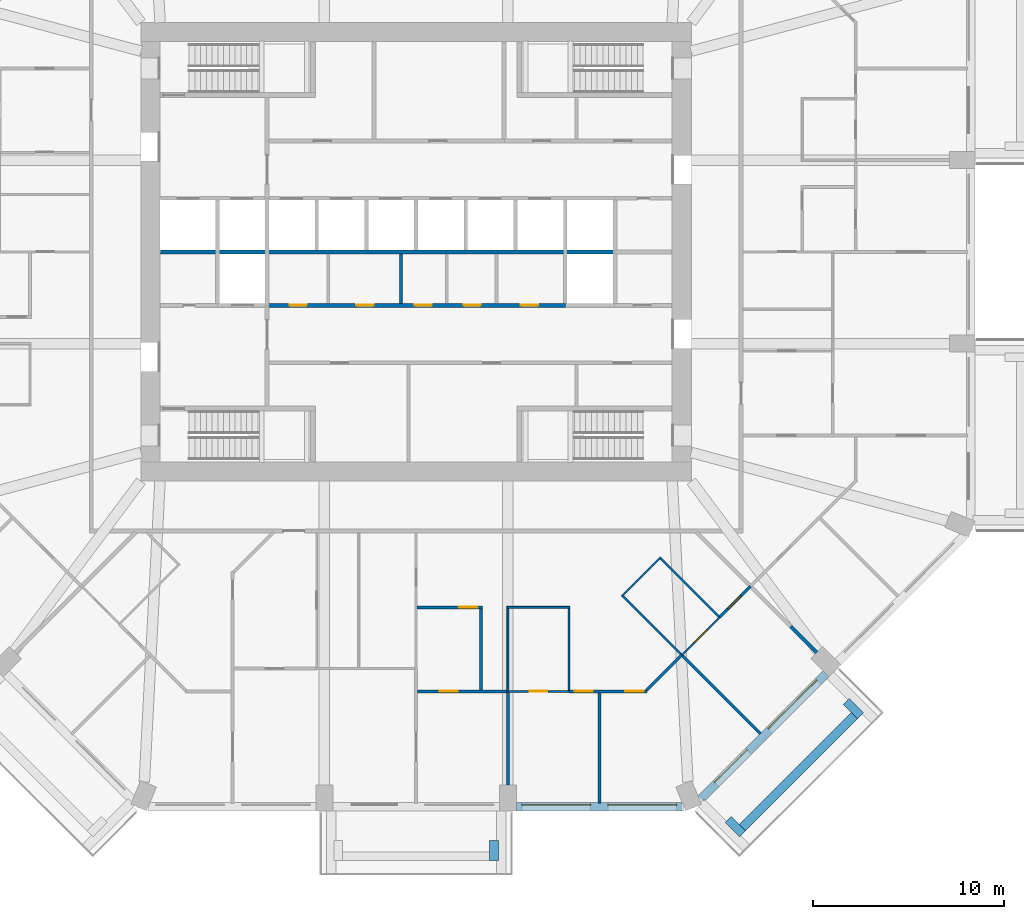
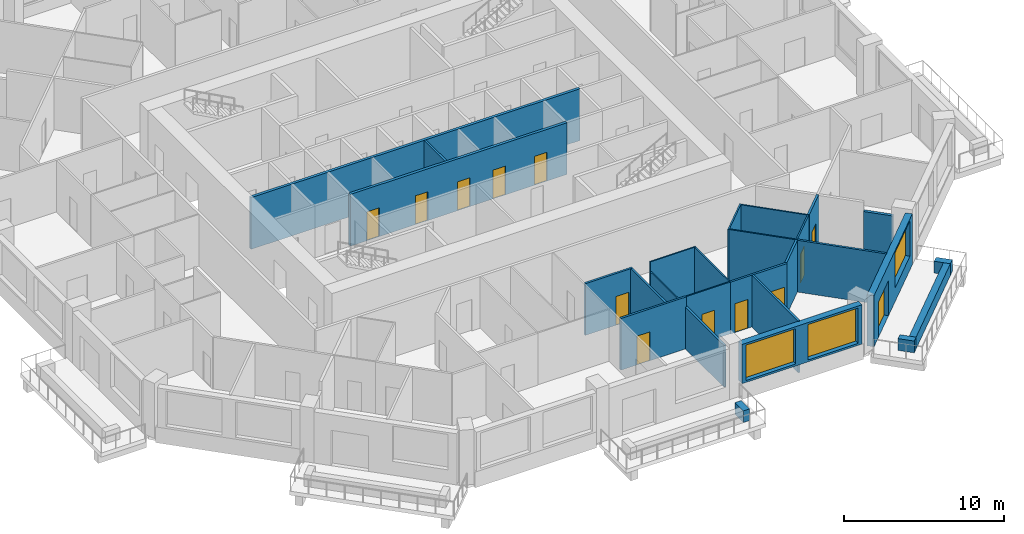
# One storey, part 5 of 13: 27 walls, 13 doors, 3 windows, 16 openings.
"""IFC4 building model written with IfcOpenShell, lengths in metres."""

from ifc_helpers import new_model, si_unit, direction, frame, frame_2d, origin, place, context, subcontext, project, spatial, rectangle, extrude, material, layer, layer_set, type_object, element, fill, save


model = new_model("IFC4")

# Units and contexts
model_context = context("Model", 3, precision=1e-05, world=origin(), true_north=direction((0.0, 1.0)))
body_context = subcontext(model_context, "Body", "Model", "MODEL_VIEW")
ifc_project = project(units=[si_unit("LENGTHUNIT", "METRE"), si_unit("AREAUNIT", "SQUARE_METRE"), si_unit("VOLUMEUNIT", "CUBIC_METRE"), si_unit("PLANEANGLEUNIT", "RADIAN"), si_unit("MASSUNIT", "GRAM", prefix="KILO")], contexts=[model_context])

# Site, building, storey
site_placement = place(None, origin())
site = spatial("IfcSite", under=ifc_project, at=site_placement, CompositionType="ELEMENT")
building_placement = place(site_placement, origin())
building = spatial("IfcBuilding", under=site, at=building_placement, Name="Msitu Wima Residences", CompositionType="ELEMENT")
storey_placement = place(building_placement, frame((0.0, 0.0, 25.5)))
storey = spatial("IfcBuildingStorey", under=building, at=storey_placement, Name="L05", CompositionType="ELEMENT", Elevation=25.5)

# Walls
ifc_material_1 = material(Name="Facing brick")
ifc_layer_1 = layer(ifc_material_1, 0.06494140625, Name="Facing brick")
ifc_material_2 = material(Name="Concrete C40/50", Category="concrete")
ifc_layer_2 = layer(ifc_material_2, 0.156005859375, Name="Concrete C40/50")
ifc_material_3 = material(Name="Waterproofing membrane")
ifc_layer_3 = layer(ifc_material_3, 0.00390625, Name="Waterproofing membrane")
ifc_material_4 = material(Name="Planting soil and planting")
ifc_layer_4 = layer(ifc_material_4, 0.22509765625, Name="Planting soil and planting")
ifc_layer_set_1 = layer_set([ifc_layer_1, ifc_layer_2, ifc_layer_3, ifc_layer_4], Name="Concrete C40/50")
wall_type_1 = type_object("IfcWallType", Name="Balcony planter PLANTER PL450", PredefinedType="USERDEFINED", material=ifc_layer_set_1)
wall_1_placement = place(storey_placement, frame((4.074951171875, -30.800048828125, 0.0), z_axis=(0.0, 0.0, 1.0), x_axis=(0.0, -1.0, 0.0)))
element("IfcWall", 1, at=wall_1_placement, inside=storey, type_object=wall_type_1, Name="Balcony planter S1 L05", ObjectType="PLANTER", PredefinedType="USERDEFINED", context=body_context, shape_type="SweptSolid", body=[
    extrude(rectangle(XDim=1.050048828125, YDim=0.449951171875, at=frame_2d((0.52490234375, 0.0))), origin(), (0.0, 0.0, 1.0), 0.89990234375),
])
wall_2_placement = place(storey_placement, frame((17.0693359375, -30.125732421875, 0.0), z_axis=(0.0, 0.0, 1.0), x_axis=(0.707106781187, 0.707106781187, 0.0)))
element("IfcWall", 2, at=wall_2_placement, inside=storey, type_object=wall_type_1, Name="Balcony planter SE0 L05", ObjectType="PLANTER", PredefinedType="USERDEFINED", context=body_context, shape_type="SweptSolid", body=[
    extrude(rectangle(XDim=8.2822265625, YDim=0.449951171875, at=frame_2d((4.14111328125, 0.0))), origin(), (0.0, 0.0, 1.0), 0.89990234375),
])
for number, where, z_axis, x_axis, name in (
    (3, (16.326904296875, -29.70166015625, 0.0), (0.0, 0.0, 1.0), (0.707106781187, -0.707106781187, 0.0), "Balcony planter SE0 L05"),
    (4, (22.50146484375, -23.52685546875, 0.0), (0.0, 0.0, 1.0), (0.707223014731, -0.706990528533, 0.0), "Balcony planter SE0 L05"),
):
    element("IfcWall", number, at=place(storey_placement, frame(where, z_axis=z_axis, x_axis=x_axis)), inside=storey, type_object=wall_type_1, Name=name, ObjectType="PLANTER", PredefinedType="USERDEFINED", context=body_context, shape_type="SweptSolid", body=[
        extrude(rectangle(XDim=1.050048828125, YDim=0.449951171875, at=frame_2d((0.52490234375, 0.0))), origin(), (0.0, 0.0, 1.0), 0.89990234375),
    ])

# Wall, openings, windows
ifc_material_5 = material(Name="Brick (red buff mix)", Category="masonry")
ifc_layer_5 = layer(ifc_material_5, 0.449951171875)
ifc_layer_set_2 = layer_set([ifc_layer_5], Name="Brick (red buff mix)")
wall_type_2 = type_object("IfcWallType", Name="Brick infill wall BW450", PredefinedType="SOLIDWALL", material=ifc_layer_set_2)
wall_3_placement = place(storey_placement, frame((5.25, -29.02490234375, 0.89990234375), z_axis=(0.0, 0.0, 1.0), x_axis=(1.0, 0.0, 0.0)))
wall_3 = element("IfcWall", 5, at=wall_3_placement, inside=storey, type_object=wall_type_2, Name="Brick infill wall L05 S2", PredefinedType="SOLIDWALL", context=body_context, shape_type="SweptSolid", body=[
    extrude(rectangle(XDim=8.662841796875, YDim=0.449951171875, at=frame_2d((4.33154296875, 0.0))), origin(), (0.0, 0.0, 1.0), 3.0),
])
opening_1_placement = place(wall_3_placement, frame((0.281494140625, 0.0, 0.14990234375)))
opening_1 = element("IfcOpeningElement", 6, at=opening_1_placement, cuts=wall_3, Name="Opening W05-07.019", PredefinedType="OPENING", context=body_context, shape_type="SweptSolid", body=[
    extrude(rectangle(XDim=3.60009765625, YDim=2.699951171875, at=frame_2d((1.800048828125, 1.35009765625))), frame((0.0, 0.23486328125, 0.0), z_axis=(0.0, -1.0, 0.0), x_axis=(1.0, 0.0, 0.0)), (0.0, 0.0, 1.0), 0.469970703125),
])
opening_2_placement = place(wall_3_placement, frame((4.781494140625, 0.0, 0.14990234375)))
opening_2 = element("IfcOpeningElement", 7, at=opening_2_placement, cuts=wall_3, Name="Opening W05-07.020", PredefinedType="OPENING", context=body_context, shape_type="SweptSolid", body=[
    extrude(rectangle(XDim=3.60009765625, YDim=2.699951171875, at=frame_2d((1.800048828125, 1.35009765625))), frame((0.0, 0.23486328125, 0.0), z_axis=(0.0, -1.0, 0.0), x_axis=(1.0, 0.0, 0.0)), (0.0, 0.0, 1.0), 0.469970703125),
])
ifc_material_6 = material(Name="Anodised aluminium, bronze finish, clear low-emissivity double glazing", Category="aluminium")
window_type = type_object("IfcWindowType", Name="Window W3600x2700", PartitioningType="DOUBLE_PANEL_VERTICAL", PredefinedType="WINDOW", material=ifc_material_6)
window_1_placement = place(opening_1_placement, origin())
window_1 = element("IfcWindow", 8, at=window_1_placement, inside=storey, type_object=window_type, Name="Window L05 S2.1", OverallHeight=2.699951171875, OverallWidth=3.60009765625, PartitioningType="SINGLE_PANEL", PredefinedType="WINDOW", context=body_context, shape_type="SweptSolid", body=[
    extrude(rectangle(XDim=3.60009765625, YDim=2.699951171875, at=frame_2d((1.800048828125, 1.35009765625))), frame((0.0, 0.135009765625, 0.0), z_axis=(0.0, -1.0, 0.0), x_axis=(1.0, 0.0, 0.0)), (0.0, 0.0, 1.0), 0.06005859375),
])
fill(opening_1, window_1)
window_2_placement = place(opening_2_placement, origin())
window_2 = element("IfcWindow", 9, at=window_2_placement, inside=storey, type_object=window_type, Name="Window L05 S2.2", OverallHeight=2.699951171875, OverallWidth=3.60009765625, PartitioningType="SINGLE_PANEL", PredefinedType="WINDOW", context=body_context, shape_type="SweptSolid", body=[
    extrude(rectangle(XDim=3.60009765625, YDim=2.699951171875, at=frame_2d((1.800048828125, 1.35009765625))), frame((0.0, 0.135009765625, 0.0), z_axis=(0.0, -1.0, 0.0), x_axis=(1.0, 0.0, 0.0)), (0.0, 0.0, 1.0), 0.06005859375),
])
fill(opening_2, window_2)

# Wall, openings, door, window
wall_4_placement = place(storey_placement, frame((14.903564453125, -28.61474609375, 0.0), z_axis=(0.0, 0.0, 1.0), x_axis=(0.707106781187, 0.707106781187, 0.0)))
wall_4 = element("IfcWall", 10, at=wall_4_placement, inside=storey, type_object=wall_type_2, Name="Brick infill wall L05 SE0", PredefinedType="SOLIDWALL", context=body_context, shape_type="SweptSolid", body=[
    extrude(rectangle(XDim=9.2451171875, YDim=0.449951171875, at=frame_2d((4.62255859375, 0.0))), origin(), (0.0, 0.0, 1.0), 3.89990234375),
])
opening_3_placement = place(wall_4_placement, frame((1.111328125, 0.0, 0.0)))
opening_3 = element("IfcOpeningElement", 11, at=opening_3_placement, cuts=wall_4, Name="Opening D05-07.007", PredefinedType="OPENING", context=body_context, shape_type="SweptSolid", body=[
    extrude(rectangle(XDim=2.39990234375, YDim=2.699951171875, at=frame_2d((1.199951171875, 1.35009765625))), frame((0.0, 0.23486328125, 0.0), z_axis=(0.0, -1.0, 0.0), x_axis=(1.0, 0.0, 0.0)), (0.0, 0.0, 1.0), 0.469970703125),
])
opening_4_placement = place(wall_4_placement, frame((5.072509765625, 0.0, 1.050048828125)))
opening_4 = element("IfcOpeningElement", 12, at=opening_4_placement, cuts=wall_4, Name="Opening W05-07.021", PredefinedType="OPENING", context=body_context, shape_type="SweptSolid", body=[
    extrude(rectangle(XDim=3.60009765625, YDim=2.699951171875, at=frame_2d((1.800048828125, 1.35009765625))), frame((0.0, 0.23486328125, 0.0), z_axis=(0.0, -1.0, 0.0), x_axis=(1.0, 0.0, 0.0)), (0.0, 0.0, 1.0), 0.469970703125),
])
door_type_1 = type_object("IfcDoorType", Name="Balcony door D2400x2700", OperationType="SLIDING_TO_LEFT", PredefinedType="DOOR", material=ifc_material_6)
door_1_placement = place(opening_3_placement, origin())
door_1 = element("IfcDoor", 13, at=door_1_placement, inside=storey, type_object=door_type_1, Name="Balcony door L05 SE0", OperationType="SINGLE_SWING_LEFT", OverallHeight=2.699951171875, OverallWidth=2.39990234375, PredefinedType="DOOR", context=body_context, shape_type="SweptSolid", body=[
    extrude(rectangle(XDim=2.39990234375, YDim=2.699951171875, at=frame_2d((1.199951171875, 1.35009765625))), frame((0.0, 0.1298828125, 0.0), z_axis=(0.0, -1.0, 0.0), x_axis=(1.0, 0.0, 0.0)), (0.0, 0.0, 1.0), 0.050048828125),
])
fill(opening_3, door_1)
window_3_placement = place(opening_4_placement, origin())
window_3 = element("IfcWindow", 14, at=window_3_placement, inside=storey, type_object=window_type, Name="Window L05 SE0.2", OverallHeight=2.699951171875, OverallWidth=3.60009765625, PartitioningType="SINGLE_PANEL", PredefinedType="WINDOW", context=body_context, shape_type="SweptSolid", body=[
    extrude(rectangle(XDim=3.60009765625, YDim=2.699951171875, at=frame_2d((1.800048828125, 1.35009765625))), frame((0.0, 0.135009765625, 0.0), z_axis=(0.0, -1.0, 0.0), x_axis=(1.0, 0.0, 0.0)), (0.0, 0.0, 1.0), 0.06005859375),
])
fill(opening_4, window_3)

# Wall, openings, doors
ifc_material_7 = material(Name="Plaster")
ifc_layer_6 = layer(ifc_material_7, 0.011962890625, Name="Plaster")
ifc_material_8 = material(Name="Concrete blockwork", Category="masonry")
ifc_layer_7 = layer(ifc_material_8, 0.176025390625, Name="Concrete blockwork")
ifc_layer_8 = layer(ifc_material_7, 0.011962890625, Name="Plaster")
ifc_layer_set_3 = layer_set([ifc_layer_6, ifc_layer_7, ifc_layer_8], Name="Concrete blockwork")
wall_type_3 = type_object("IfcWallType", Name="Corridor wall FW200", PredefinedType="PARTITIONING", material=ifc_layer_set_3)
wall_5_placement = place(storey_placement, frame((-7.820068359375, -2.800048828125, 0.0), z_axis=(0.0, 0.0, 1.0), x_axis=(1.0, 0.0, 0.0)))
wall_5 = element("IfcWall", 15, at=wall_5_placement, inside=storey, type_object=wall_type_3, Name="Corridor wall", PredefinedType="PARTITIONING", context=body_context, shape_type="SweptSolid", body=[
    extrude(rectangle(XDim=15.64013671875, YDim=0.199951171875, at=frame_2d((7.820068359375, 0.0))), origin(), (0.0, 0.0, 1.0), 3.949951171875),
])
opening_5_placement = place(wall_5_placement, frame((1.199951171875, 0.0, 0.0)))
opening_5 = element("IfcOpeningElement", 16, at=opening_5_placement, cuts=wall_5, Name="Opening D05-07.031", PredefinedType="OPENING", context=body_context, shape_type="SweptSolid", body=[
    extrude(rectangle(XDim=0.89990234375, YDim=2.199951171875, at=frame_2d((0.449951171875, 1.10009765625))), frame((0.0, 0.10986328125, 0.0), z_axis=(0.0, -1.0, 0.0), x_axis=(1.0, 0.0, 0.0)), (0.0, 0.0, 1.0), 0.219970703125),
])
opening_6_placement = place(wall_5_placement, frame((4.699951171875, 0.0, 0.0)))
opening_6 = element("IfcOpeningElement", 17, at=opening_6_placement, cuts=wall_5, Name="Opening D05-07.032", PredefinedType="OPENING", context=body_context, shape_type="SweptSolid", body=[
    extrude(rectangle(XDim=0.89990234375, YDim=2.199951171875, at=frame_2d((0.449951171875, 1.10009765625))), frame((0.0, 0.10986328125, 0.0), z_axis=(0.0, -1.0, 0.0), x_axis=(1.0, 0.0, 0.0)), (0.0, 0.0, 1.0), 0.219970703125),
])
opening_7_placement = place(wall_5_placement, frame((7.75, 0.0, 0.0)))
opening_7 = element("IfcOpeningElement", 18, at=opening_7_placement, cuts=wall_5, Name="Opening D05-07.033", PredefinedType="OPENING", context=body_context, shape_type="SweptSolid", body=[
    extrude(rectangle(XDim=0.89990234375, YDim=2.199951171875, at=frame_2d((0.449951171875, 1.10009765625))), frame((0.0, 0.10986328125, 0.0), z_axis=(0.0, -1.0, 0.0), x_axis=(1.0, 0.0, 0.0)), (0.0, 0.0, 1.0), 0.219970703125),
])
opening_8_placement = place(wall_5_placement, frame((10.300048828125, 0.0, 0.0)))
opening_8 = element("IfcOpeningElement", 19, at=opening_8_placement, cuts=wall_5, Name="Opening D05-07.034", PredefinedType="OPENING", context=body_context, shape_type="SweptSolid", body=[
    extrude(rectangle(XDim=0.89990234375, YDim=2.199951171875, at=frame_2d((0.449951171875, 1.10009765625))), frame((0.0, 0.10986328125, 0.0), z_axis=(0.0, -1.0, 0.0), x_axis=(1.0, 0.0, 0.0)), (0.0, 0.0, 1.0), 0.219970703125),
])
opening_9_placement = place(wall_5_placement, frame((13.300048828125, 0.0, 0.0)))
opening_9 = element("IfcOpeningElement", 20, at=opening_9_placement, cuts=wall_5, Name="Opening D05-07.035", PredefinedType="OPENING", context=body_context, shape_type="SweptSolid", body=[
    extrude(rectangle(XDim=0.89990234375, YDim=2.199951171875, at=frame_2d((0.449951171875, 1.10009765625))), frame((0.0, 0.10986328125, 0.0), z_axis=(0.0, -1.0, 0.0), x_axis=(1.0, 0.0, 0.0)), (0.0, 0.0, 1.0), 0.219970703125),
])
ifc_material_9 = material(Name="Timber flush door", Category="wood")
door_type_2 = type_object("IfcDoorType", Name="Service door D05 900x2200", OperationType="SINGLE_SWING_LEFT", PredefinedType="DOOR", material=ifc_material_9)
door_2_placement = place(opening_5_placement, origin())
door_2 = element("IfcDoor", 21, at=door_2_placement, inside=storey, type_object=door_type_2, Name="Service door", OperationType="SINGLE_SWING_RIGHT", OverallHeight=2.199951171875, OverallWidth=0.89990234375, PredefinedType="DOOR", context=body_context, shape_type="SweptSolid", body=[
    extrude(rectangle(XDim=0.89990234375, YDim=2.199951171875, at=frame_2d((0.449951171875, 1.10009765625))), frame((0.0, 0.02490234375, 0.0), z_axis=(0.0, -1.0, 0.0), x_axis=(1.0, 0.0, 0.0)), (0.0, 0.0, 1.0), 0.050048828125),
])
fill(opening_5, door_2)
door_3_placement = place(opening_6_placement, origin())
door_3 = element("IfcDoor", 22, at=door_3_placement, inside=storey, type_object=door_type_2, Name="Service door", OperationType="SINGLE_SWING_RIGHT", OverallHeight=2.199951171875, OverallWidth=0.89990234375, PredefinedType="DOOR", context=body_context, shape_type="SweptSolid", body=[
    extrude(rectangle(XDim=0.89990234375, YDim=2.199951171875, at=frame_2d((0.449951171875, 1.10009765625))), frame((0.0, 0.02490234375, 0.0), z_axis=(0.0, -1.0, 0.0), x_axis=(1.0, 0.0, 0.0)), (0.0, 0.0, 1.0), 0.050048828125),
])
fill(opening_6, door_3)
door_4_placement = place(opening_7_placement, origin())
door_4 = element("IfcDoor", 23, at=door_4_placement, inside=storey, type_object=door_type_2, Name="Service door", OperationType="SINGLE_SWING_LEFT", OverallHeight=2.199951171875, OverallWidth=0.89990234375, PredefinedType="DOOR", context=body_context, shape_type="SweptSolid", body=[
    extrude(rectangle(XDim=0.89990234375, YDim=2.199951171875, at=frame_2d((0.449951171875, 1.10009765625))), frame((0.0, 0.02490234375, 0.0), z_axis=(0.0, -1.0, 0.0), x_axis=(1.0, 0.0, 0.0)), (0.0, 0.0, 1.0), 0.050048828125),
])
fill(opening_7, door_4)
door_5_placement = place(opening_8_placement, origin())
door_5 = element("IfcDoor", 24, at=door_5_placement, inside=storey, type_object=door_type_2, Name="Service door", OperationType="SINGLE_SWING_RIGHT", OverallHeight=2.199951171875, OverallWidth=0.89990234375, PredefinedType="DOOR", context=body_context, shape_type="SweptSolid", body=[
    extrude(rectangle(XDim=0.89990234375, YDim=2.199951171875, at=frame_2d((0.449951171875, 1.10009765625))), frame((0.0, 0.02490234375, 0.0), z_axis=(0.0, -1.0, 0.0), x_axis=(1.0, 0.0, 0.0)), (0.0, 0.0, 1.0), 0.050048828125),
])
fill(opening_8, door_5)
door_6_placement = place(opening_9_placement, origin())
door_6 = element("IfcDoor", 25, at=door_6_placement, inside=storey, type_object=door_type_2, Name="Service door", OperationType="SINGLE_SWING_LEFT", OverallHeight=2.199951171875, OverallWidth=0.89990234375, PredefinedType="DOOR", context=body_context, shape_type="SweptSolid", body=[
    extrude(rectangle(XDim=0.89990234375, YDim=2.199951171875, at=frame_2d((0.449951171875, 1.10009765625))), frame((0.0, 0.02490234375, 0.0), z_axis=(0.0, -1.0, 0.0), x_axis=(1.0, 0.0, 0.0)), (0.0, 0.0, 1.0), 0.050048828125),
])
fill(opening_9, door_6)

# Wall
ifc_layer_9 = layer(ifc_material_7, 0.011962890625, Name="Plaster")
ifc_layer_10 = layer(ifc_material_8, 0.1259765625, Name="Concrete blockwork")
ifc_layer_11 = layer(ifc_material_7, 0.011962890625, Name="Plaster")
ifc_layer_set_4 = layer_set([ifc_layer_9, ifc_layer_10, ifc_layer_11], Name="Concrete blockwork")
wall_type_4 = type_object("IfcWallType", Name="Partition PW150", PredefinedType="PARTITIONING", material=ifc_layer_set_4)
wall_6_placement = place(storey_placement, frame((-0.800048828125, -2.699951171875, 0.0), z_axis=(0.0, 0.0, 1.0), x_axis=(0.0, 1.0, 0.0)))
element("IfcWall", 26, at=wall_6_placement, inside=storey, type_object=wall_type_4, Name="Partition", PredefinedType="PARTITIONING", context=body_context, shape_type="SweptSolid", body=[
    extrude(rectangle(XDim=2.599853515625, YDim=0.14990234375, at=frame_2d((1.2998046875, 0.0))), origin(), (0.0, 0.0, 1.0), 3.949951171875),
])

# Wall, opening, door
wall_7_placement = place(storey_placement, frame((0.074951171875, -23.0, 0.0), z_axis=(0.0, 0.0, 1.0), x_axis=(1.0, 0.0, 0.0)))
wall_7 = element("IfcWall", 27, at=wall_7_placement, inside=storey, type_object=wall_type_4, Name="Partition", PredefinedType="PARTITIONING", context=body_context, shape_type="SweptSolid", body=[
    extrude(rectangle(XDim=4.72509765625, YDim=0.14990234375, at=frame_2d((2.362548828125, 0.0))), origin(), (0.0, 0.0, 1.0), 3.949951171875),
])
opening_10_placement = place(wall_7_placement, frame((1.14990234375, 0.0, 0.0)))
opening_10 = element("IfcOpeningElement", 28, at=opening_10_placement, cuts=wall_7, Name="Opening D05-07.084", PredefinedType="OPENING", context=body_context, shape_type="SweptSolid", body=[
    extrude(rectangle(XDim=0.949951171875, YDim=2.199951171875, at=frame_2d((0.47509765625, 1.10009765625))), frame((0.0, 0.0849609375, 0.0), z_axis=(0.0, -1.0, 0.0), x_axis=(1.0, 0.0, 0.0)), (0.0, 0.0, 1.0), 0.169921875),
])
door_type_3 = type_object("IfcDoorType", Name="Room door D12 950x2200", OperationType="SINGLE_SWING_LEFT", PredefinedType="DOOR", material=ifc_material_9)
door_7_placement = place(opening_10_placement, origin())
door_7 = element("IfcDoor", 29, at=door_7_placement, inside=storey, type_object=door_type_3, Name="Room door", OperationType="SINGLE_SWING_RIGHT", OverallHeight=2.199951171875, OverallWidth=0.949951171875, PredefinedType="DOOR", context=body_context, shape_type="SweptSolid", body=[
    extrude(rectangle(XDim=0.949951171875, YDim=2.199951171875, at=frame_2d((0.47509765625, 1.10009765625))), frame((0.0, 0.02490234375, 0.0), z_axis=(0.0, -1.0, 0.0), x_axis=(1.0, 0.0, 0.0)), (0.0, 0.0, 1.0), 0.050048828125),
])
fill(opening_10, door_7)

wall_8_placement = place(storey_placement, frame((0.050048828125, -18.60009765625, 0.0), z_axis=(0.0, 0.0, 1.0), x_axis=(1.0, 0.0, 0.0)))
wall_8 = element("IfcWall", 30, at=wall_8_placement, inside=storey, type_object=wall_type_4, Name="Partition", PredefinedType="PARTITIONING", context=body_context, shape_type="SweptSolid", body=[
    extrude(rectangle(XDim=3.425048828125, YDim=0.14990234375, at=frame_2d((1.71240234375, 0.0))), origin(), (0.0, 0.0, 1.0), 3.949951171875),
])
opening_11_placement = place(wall_8_placement, frame((2.199951171875, 0.0, 0.0)))
opening_11 = element("IfcOpeningElement", 31, at=opening_11_placement, cuts=wall_8, Name="Opening D05-07.087", PredefinedType="OPENING", context=body_context, shape_type="SweptSolid", body=[
    extrude(rectangle(XDim=0.949951171875, YDim=2.199951171875, at=frame_2d((0.47509765625, 1.10009765625))), frame((0.0, 0.0849609375, 0.0), z_axis=(0.0, -1.0, 0.0), x_axis=(1.0, 0.0, 0.0)), (0.0, 0.0, 1.0), 0.169921875),
])
door_8_placement = place(opening_11_placement, origin())
door_8 = element("IfcDoor", 32, at=door_8_placement, inside=storey, type_object=door_type_3, Name="Room door", OperationType="SINGLE_SWING_LEFT", OverallHeight=2.199951171875, OverallWidth=0.949951171875, PredefinedType="DOOR", context=body_context, shape_type="SweptSolid", body=[
    extrude(rectangle(XDim=0.949951171875, YDim=2.199951171875, at=frame_2d((0.47509765625, 1.10009765625))), frame((0.0, 0.02490234375, 0.0), z_axis=(0.0, -1.0, 0.0), x_axis=(1.0, 0.0, 0.0)), (0.0, 0.0, 1.0), 0.050048828125),
])
fill(opening_11, door_8)

# Walls
wall_9_placement = place(storey_placement, frame((3.39990234375, -22.925048828125, 0.0), z_axis=(0.0, 0.0, 1.0), x_axis=(0.0, 1.0, 0.0)))
element("IfcWall", 33, at=wall_9_placement, inside=storey, type_object=wall_type_4, Name="Partition", PredefinedType="PARTITIONING", context=body_context, shape_type="SweptSolid", body=[
    extrude(rectangle(XDim=4.25, YDim=0.14990234375, at=frame_2d((2.125, 0.0))), origin(), (0.0, 0.0, 1.0), 3.949951171875),
])
wall_10_placement = place(storey_placement, frame((4.800048828125, -27.89990234375, 0.0), z_axis=(0.0, 0.0, 1.0), x_axis=(0.0, 1.0, 0.0)))
element("IfcWall", 34, at=wall_10_placement, inside=storey, type_object=wall_type_4, Name="Partition", PredefinedType="PARTITIONING", context=body_context, shape_type="SweptSolid", body=[
    extrude(rectangle(XDim=4.919921875, YDim=0.14990234375, at=frame_2d((2.4599609375, 0.0))), origin(), (0.0, 0.0, 1.0), 3.199951171875),
])

# Wall, openings, doors
wall_11_placement = place(storey_placement, frame((8.0, -23.0, 0.0), z_axis=(0.0, 0.0, 1.0), x_axis=(1.0, 0.0, 0.0)))
wall_11 = element("IfcWall", 35, at=wall_11_placement, inside=storey, type_object=wall_type_4, Name="Partition", PredefinedType="PARTITIONING", context=body_context, shape_type="SweptSolid", body=[
    extrude(rectangle(XDim=4.072509765625, YDim=0.14990234375, at=frame_2d((2.0361328125, 0.0))), origin(), (0.0, 0.0, 1.0), 3.949951171875),
])
opening_12_placement = place(wall_11_placement, frame((0.300048828125, 0.0, 0.0)))
opening_12 = element("IfcOpeningElement", 36, at=opening_12_placement, cuts=wall_11, Name="Opening D05-07.090", PredefinedType="OPENING", context=body_context, shape_type="SweptSolid", body=[
    extrude(rectangle(XDim=0.949951171875, YDim=2.199951171875, at=frame_2d((0.47509765625, 1.10009765625))), frame((0.0, 0.0849609375, 0.0), z_axis=(0.0, -1.0, 0.0), x_axis=(1.0, 0.0, 0.0)), (0.0, 0.0, 1.0), 0.169921875),
])
opening_13_placement = place(wall_11_placement, frame((2.949951171875, 0.0, 0.0)))
opening_13 = element("IfcOpeningElement", 37, at=opening_13_placement, cuts=wall_11, Name="Opening D05-07.093", PredefinedType="OPENING", context=body_context, shape_type="SweptSolid", body=[
    extrude(rectangle(XDim=0.949951171875, YDim=2.199951171875, at=frame_2d((0.47509765625, 1.10009765625))), frame((0.0, 0.0849609375, 0.0), z_axis=(0.0, -1.0, 0.0), x_axis=(1.0, 0.0, 0.0)), (0.0, 0.0, 1.0), 0.169921875),
])
door_9_placement = place(opening_12_placement, origin())
door_9 = element("IfcDoor", 38, at=door_9_placement, inside=storey, type_object=door_type_3, Name="Room door", OperationType="SINGLE_SWING_LEFT", OverallHeight=2.199951171875, OverallWidth=0.949951171875, PredefinedType="DOOR", context=body_context, shape_type="SweptSolid", body=[
    extrude(rectangle(XDim=0.949951171875, YDim=2.199951171875, at=frame_2d((0.47509765625, 1.10009765625))), frame((0.0, 0.02490234375, 0.0), z_axis=(0.0, -1.0, 0.0), x_axis=(1.0, 0.0, 0.0)), (0.0, 0.0, 1.0), 0.050048828125),
])
fill(opening_12, door_9)
door_10_placement = place(opening_13_placement, origin())
door_10 = element("IfcDoor", 39, at=door_10_placement, inside=storey, type_object=door_type_3, Name="Room door", OperationType="SINGLE_SWING_RIGHT", OverallHeight=2.199951171875, OverallWidth=0.949951171875, PredefinedType="DOOR", context=body_context, shape_type="SweptSolid", body=[
    extrude(rectangle(XDim=0.949951171875, YDim=2.199951171875, at=frame_2d((0.47509765625, 1.10009765625))), frame((0.0, 0.02490234375, 0.0), z_axis=(0.0, -1.0, 0.0), x_axis=(1.0, 0.0, 0.0)), (0.0, 0.0, 1.0), 0.050048828125),
])
fill(opening_13, door_10)

# Walls
wall_12_placement = place(storey_placement, frame((9.60009765625, -28.85498046875, 0.0), z_axis=(0.0, 0.0, 1.0), x_axis=(0.0, 1.0, 0.0)))
element("IfcWall", 40, at=wall_12_placement, inside=storey, type_object=wall_type_4, Name="Partition", PredefinedType="PARTITIONING", context=body_context, shape_type="SweptSolid", body=[
    extrude(rectangle(XDim=5.780029296875, YDim=0.14990234375, at=frame_2d((2.89013671875, 0.0))), origin(), (0.0, 0.0, 1.0), 3.949951171875),
])
wall_13_placement = place(storey_placement, frame((12.050537109375, -22.947021484375, 0.0), z_axis=(0.0, 0.0, 1.0), x_axis=(0.707106781187, 0.707106781187, 0.0)))
element("IfcWall", 41, at=wall_13_placement, inside=storey, type_object=wall_type_4, Name="Partition", PredefinedType="PARTITIONING", context=body_context, shape_type="SweptSolid", body=[
    extrude(rectangle(XDim=2.61376953125, YDim=0.14990234375, at=frame_2d((1.306884765625, 0.0))), origin(), (0.0, 0.0, 1.0), 3.949951171875),
])
wall_14_placement = place(storey_placement, frame((13.884521484375, -21.084716796875, 0.0), z_axis=(0.0, 0.0, 1.0), x_axis=(0.707106781187, -0.707106781187, 0.0)))
element("IfcWall", 42, at=wall_14_placement, inside=storey, type_object=wall_type_4, Name="Partition", PredefinedType="PARTITIONING", context=body_context, shape_type="SweptSolid", body=[
    extrude(rectangle(XDim=5.844970703125, YDim=0.14990234375, at=frame_2d((2.92236328125, 0.0))), origin(), (0.0, 0.0, 1.0), 3.949951171875),
])

# Wall, opening, door
wall_15_placement = place(storey_placement, frame((15.892822265625, -19.104736328125, 0.0), z_axis=(0.0, 0.0, 1.0), x_axis=(0.707106781187, 0.707106781187, 0.0)))
wall_15 = element("IfcWall", 43, at=wall_15_placement, inside=storey, type_object=wall_type_4, Name="Partition", PredefinedType="PARTITIONING", context=body_context, shape_type="SweptSolid", body=[
    extrude(rectangle(XDim=2.271240234375, YDim=0.14990234375, at=frame_2d((1.1357421875, 0.0))), origin(), (0.0, 0.0, 1.0), 3.949951171875),
])
opening_14_placement = place(wall_15_placement, frame((0.60009765625, 0.0, 0.0)))
opening_14 = element("IfcOpeningElement", 44, at=opening_14_placement, cuts=wall_15, Name="Opening D05-07.088", PredefinedType="OPENING", context=body_context, shape_type="SweptSolid", body=[
    extrude(rectangle(XDim=0.949951171875, YDim=2.199951171875, at=frame_2d((0.47509765625, 1.10009765625))), frame((0.0, 0.0849609375, 0.0), z_axis=(0.0, -1.0, 0.0), x_axis=(1.0, 0.0, 0.0)), (0.0, 0.0, 1.0), 0.169921875),
])
door_11_placement = place(opening_14_placement, origin())
door_11 = element("IfcDoor", 45, at=door_11_placement, inside=storey, type_object=door_type_3, Name="Room door", OperationType="SINGLE_SWING_LEFT", OverallHeight=2.199951171875, OverallWidth=0.949951171875, PredefinedType="DOOR", context=body_context, shape_type="SweptSolid", body=[
    extrude(rectangle(XDim=0.949951171875, YDim=2.199951171875, at=frame_2d((0.47509765625, 1.10009765625))), frame((0.0, 0.02490234375, 0.0), z_axis=(0.0, -1.0, 0.0), x_axis=(1.0, 0.0, 0.0)), (0.0, 0.0, 1.0), 0.050048828125),
])
fill(opening_14, door_11)

# Walls
ifc_layer_12 = layer(ifc_material_7, 0.011962890625, Name="Plaster")
ifc_material_10 = material(Name="Dense concrete blockwork", Category="masonry")
ifc_layer_13 = layer(ifc_material_10, 0.176025390625, Name="Dense concrete blockwork")
ifc_layer_14 = layer(ifc_material_7, 0.011962890625, Name="Plaster")
ifc_layer_set_5 = layer_set([ifc_layer_12, ifc_layer_13, ifc_layer_14], Name="Dense concrete blockwork")
wall_type_5 = type_object("IfcWallType", Name="Party wall PW200", PredefinedType="PARTITIONING", material=ifc_layer_set_5)
wall_16_placement = place(storey_placement, frame((19.605712890625, -19.605712890625, 0.0), z_axis=(0.0, 0.0, 1.0), x_axis=(0.707106781187, -0.707106781187, 0.0)))
element("IfcWall", 46, at=wall_16_placement, inside=storey, type_object=wall_type_5, Name="Party wall", PredefinedType="PARTITIONING", context=body_context, shape_type="SweptSolid", body=[
    extrude(rectangle(XDim=1.92041015625, YDim=0.199951171875, at=frame_2d((0.960205078125, 0.0))), origin(), (0.0, 0.0, 1.0), 3.25),
])
ifc_material_11 = material(Name="Fire-rated board")
ifc_layer_15 = layer(ifc_material_11, 0.02490234375, Name="Fire-rated board")
ifc_material_12 = material(Name="Light-gauge stud framing with mineral wool")
ifc_layer_16 = layer(ifc_material_12, 0.14990234375, Name="Light-gauge stud framing with mineral wool")
ifc_layer_17 = layer(ifc_material_11, 0.02490234375, Name="Fire-rated board")
ifc_layer_set_6 = layer_set([ifc_layer_15, ifc_layer_16, ifc_layer_17], Name="Light-gauge stud framing with mineral wool")
wall_type_6 = type_object("IfcWallType", Name="Shaft wall SH200", PredefinedType="PARTITIONING", material=ifc_layer_set_6)
wall_17_placement = place(storey_placement, frame((-13.3701171875, 0.0, 0.0), z_axis=(0.0, 0.0, 1.0), x_axis=(1.0, 0.0, 0.0)))
element("IfcWall", 47, at=wall_17_placement, inside=storey, type_object=wall_type_6, Name="Shaft wall", PredefinedType="PARTITIONING", context=body_context, shape_type="SweptSolid", body=[
    extrude(rectangle(XDim=23.77001953125, YDim=0.199951171875, at=frame_2d((11.885009765625, 0.0))), origin(), (0.0, 0.0, 1.0), 3.949951171875),
])

# Wall, opening, door
ifc_material_13 = material(Name="Ceramic tiles")
ifc_layer_18 = layer(ifc_material_13, 0.008056640625, Name="Ceramic tiles")
ifc_material_14 = material(Name="Moisture-resistant board")
ifc_layer_19 = layer(ifc_material_14, 0.012451171875, Name="Moisture-resistant board")
ifc_layer_20 = layer(ifc_material_12, 0.06689453125, Name="Light-gauge stud framing with mineral wool")
ifc_layer_21 = layer(ifc_material_14, 0.012451171875, Name="Moisture-resistant board")
ifc_layer_set_7 = layer_set([ifc_layer_18, ifc_layer_19, ifc_layer_20, ifc_layer_21], Name="Light-gauge stud framing with mineral wool")
wall_type_7 = type_object("IfcWallType", Name="Wet wall PW100", PredefinedType="PARTITIONING", material=ifc_layer_set_7)
wall_18_placement = place(storey_placement, frame((4.800048828125, -23.0, 0.0), z_axis=(0.0, 0.0, 1.0), x_axis=(1.0, 0.0, 0.0)))
wall_18 = element("IfcWall", 48, at=wall_18_placement, inside=storey, type_object=wall_type_7, Name="Wet wall", PredefinedType="PARTITIONING", context=body_context, shape_type="SweptSolid", body=[
    extrude(rectangle(XDim=3.199951171875, YDim=0.10009765625, at=frame_2d((1.60009765625, 0.0))), origin(), (0.0, 0.0, 1.0), 3.949951171875),
])
opening_15_placement = place(wall_18_placement, frame((1.14990234375, 0.0, 0.0)))
opening_15 = element("IfcOpeningElement", 49, at=opening_15_placement, cuts=wall_18, Name="Opening D05-07.091", PredefinedType="OPENING", context=body_context, shape_type="SweptSolid", body=[
    extrude(rectangle(XDim=0.89990234375, YDim=2.199951171875, at=frame_2d((0.449951171875, 1.10009765625))), frame((0.0, 0.06005859375, 0.0), z_axis=(0.0, -1.0, 0.0), x_axis=(1.0, 0.0, 0.0)), (0.0, 0.0, 1.0), 0.1201171875),
])
ifc_material_15 = material(Name="Timber flush door, moisture resistant", Category="wood")
door_type_4 = type_object("IfcDoorType", Name="Bathroom door D03 900x2200", OperationType="SINGLE_SWING_LEFT", PredefinedType="DOOR", material=ifc_material_15)
door_12_placement = place(opening_15_placement, origin())
door_12 = element("IfcDoor", 50, at=door_12_placement, inside=storey, type_object=door_type_4, Name="Bathroom door", OperationType="SINGLE_SWING_LEFT", OverallHeight=2.199951171875, OverallWidth=0.89990234375, PredefinedType="DOOR", context=body_context, shape_type="SweptSolid", body=[
    extrude(rectangle(XDim=0.89990234375, YDim=2.199951171875, at=frame_2d((0.449951171875, 1.10009765625))), frame((0.0, 0.02490234375, 0.0), z_axis=(0.0, -1.0, 0.0), x_axis=(1.0, 0.0, 0.0)), (0.0, 0.0, 1.0), 0.050048828125),
])
fill(opening_15, door_12)

# Walls
wall_19_placement = place(storey_placement, frame((4.800048828125, -22.97998046875, 0.0), z_axis=(0.0, 0.0, 1.0), x_axis=(0.0, 1.0, 0.0)))
element("IfcWall", 51, at=wall_19_placement, inside=storey, type_object=wall_type_7, Name="Wet wall", PredefinedType="PARTITIONING", context=body_context, shape_type="SweptSolid", body=[
    extrude(rectangle(XDim=4.330078125, YDim=0.10009765625, at=frame_2d((2.1650390625, 0.0))), origin(), (0.0, 0.0, 1.0), 3.199951171875),
])
wall_20_placement = place(storey_placement, frame((4.75, -18.60009765625, 0.0), z_axis=(0.0, 0.0, 1.0), x_axis=(1.0, 0.0, 0.0)))
element("IfcWall", 52, at=wall_20_placement, inside=storey, type_object=wall_type_7, Name="Wet wall", PredefinedType="PARTITIONING", context=body_context, shape_type="SweptSolid", body=[
    extrude(rectangle(XDim=3.300048828125, YDim=0.10009765625, at=frame_2d((1.64990234375, 0.0))), origin(), (0.0, 0.0, 1.0), 3.949951171875),
])
wall_21_placement = place(storey_placement, frame((8.0, -22.925048828125, 0.0), z_axis=(0.0, 0.0, 1.0), x_axis=(0.0, 1.0, 0.0)))
element("IfcWall", 53, at=wall_21_placement, inside=storey, type_object=wall_type_7, Name="Wet wall", PredefinedType="PARTITIONING", context=body_context, shape_type="SweptSolid", body=[
    extrude(rectangle(XDim=4.275146484375, YDim=0.10009765625, at=frame_2d((2.1376953125, 0.0))), origin(), (0.0, 0.0, 1.0), 3.949951171875),
])
wall_22_placement = place(storey_placement, frame((10.752197265625, -18.02294921875, 0.0), z_axis=(0.0, 0.0, 1.0), x_axis=(0.707064687739, 0.707148872128, 0.0)))
element("IfcWall", 54, at=wall_22_placement, inside=storey, type_object=wall_type_7, Name="Wet wall", PredefinedType="PARTITIONING", context=body_context, shape_type="SweptSolid", body=[
    extrude(rectangle(XDim=2.900146484375, YDim=0.10009765625, at=frame_2d((1.4501953125, 0.0))), origin(), (0.0, 0.0, 1.0), 3.949951171875),
])
wall_23_placement = place(storey_placement, frame((10.82275390625, -18.02294921875, 0.0), z_axis=(0.0, 0.0, 1.0), x_axis=(0.707106781187, -0.707106781187, 0.0)))
element("IfcWall", 55, at=wall_23_placement, inside=storey, type_object=wall_type_7, Name="Wet wall", PredefinedType="PARTITIONING", context=body_context, shape_type="SweptSolid", body=[
    extrude(rectangle(XDim=4.330078125, YDim=0.10009765625, at=frame_2d((2.1650390625, 0.0))), origin(), (0.0, 0.0, 1.0), 3.949951171875),
])
wall_24_placement = place(storey_placement, frame((12.802734375, -16.04296875, 0.0), z_axis=(0.0, 0.0, 1.0), x_axis=(0.707106781187, -0.707106781187, 0.0)))
element("IfcWall", 56, at=wall_24_placement, inside=storey, type_object=wall_type_7, Name="Wet wall", PredefinedType="PARTITIONING", context=body_context, shape_type="SweptSolid", body=[
    extrude(rectangle(XDim=4.300048828125, YDim=0.10009765625, at=frame_2d((2.14990234375, 0.0))), origin(), (0.0, 0.0, 1.0), 3.949951171875),
])

# Wall, opening, door
wall_25_placement = place(storey_placement, frame((13.898681640625, -21.098876953125, 0.0), z_axis=(0.0, 0.0, 1.0), x_axis=(0.707106781187, 0.707106781187, 0.0)))
wall_25 = element("IfcWall", 57, at=wall_25_placement, inside=storey, type_object=wall_type_7, Name="Wet wall", PredefinedType="PARTITIONING", context=body_context, shape_type="SweptSolid", body=[
    extrude(rectangle(XDim=2.820068359375, YDim=0.10009765625, at=frame_2d((1.41015625, 0.0))), origin(), (0.0, 0.0, 1.0), 3.949951171875),
])
opening_16_placement = place(wall_25_placement, frame((0.949951171875, 0.0, 0.0)))
opening_16 = element("IfcOpeningElement", 58, at=opening_16_placement, cuts=wall_25, Name="Opening D05-07.089", PredefinedType="OPENING", context=body_context, shape_type="SweptSolid", body=[
    extrude(rectangle(XDim=0.89990234375, YDim=2.199951171875, at=frame_2d((0.449951171875, 1.10009765625))), frame((0.0, 0.06005859375, 0.0), z_axis=(0.0, -1.0, 0.0), x_axis=(1.0, 0.0, 0.0)), (0.0, 0.0, 1.0), 0.1201171875),
])
door_13_placement = place(opening_16_placement, origin())
door_13 = element("IfcDoor", 59, at=door_13_placement, inside=storey, type_object=door_type_4, Name="Bathroom door", OperationType="SINGLE_SWING_LEFT", OverallHeight=2.199951171875, OverallWidth=0.89990234375, PredefinedType="DOOR", context=body_context, shape_type="SweptSolid", body=[
    extrude(rectangle(XDim=0.89990234375, YDim=2.199951171875, at=frame_2d((0.449951171875, 1.10009765625))), frame((0.0, 0.02490234375, 0.0), z_axis=(0.0, -1.0, 0.0), x_axis=(1.0, 0.0, 0.0)), (0.0, 0.0, 1.0), 0.050048828125),
])
fill(opening_16, door_13)

save(model, "model.ifc")
